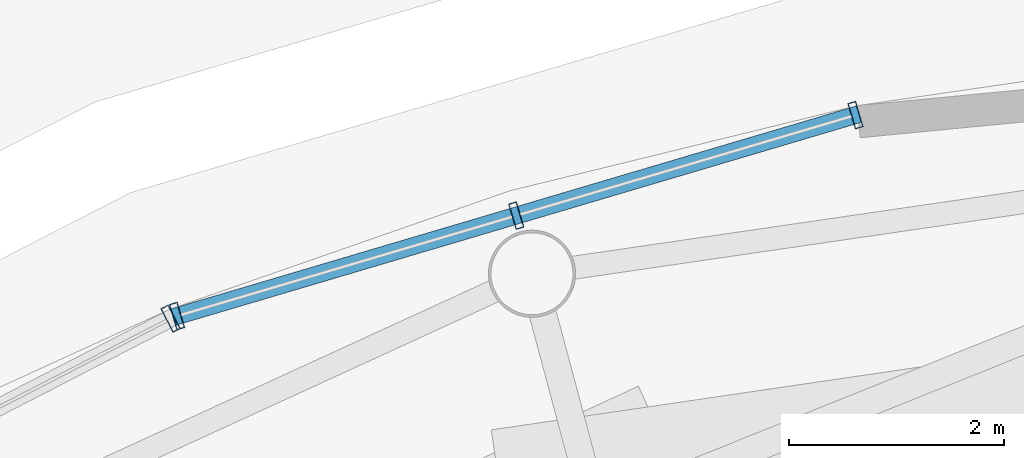
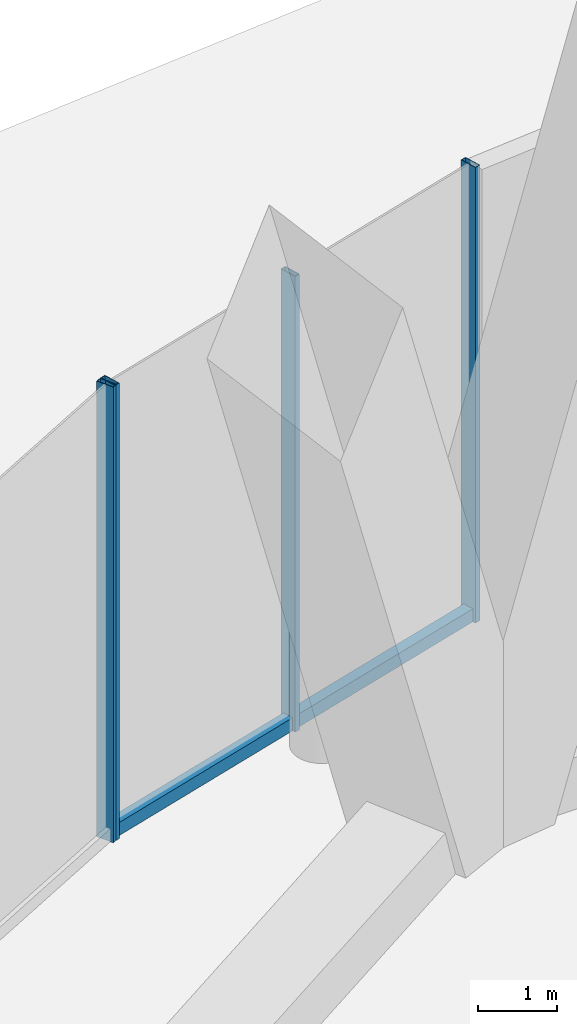
# One storey, part 47 of 67: 5 members, 2 elements without a shape of their own.
"""IFC4 building model written with IfcOpenShell, lengths in metres."""

from ifc_helpers import new_model, si_unit, direction, frame, origin, origin_2d, place, context, subcontext, project, spatial, hollow_rectangle, extrude, material, layer, layer_set, material_profile, profile_set, type_object, element, aggregate, save


model = new_model("IFC4")

# Units and contexts
model_context = context("Model", 3, precision=1e-05, world=origin(), true_north=direction((0.0, 1.0)))
body_context = subcontext(model_context, "Body", "Model", "MODEL_VIEW")
ifc_project = project(units=[si_unit("LENGTHUNIT", "METRE"), si_unit("AREAUNIT", "SQUARE_METRE"), si_unit("VOLUMEUNIT", "CUBIC_METRE"), si_unit("PLANEANGLEUNIT", "RADIAN"), si_unit("MASSUNIT", "GRAM", prefix="KILO")], contexts=[model_context])

# Site, building, storey
site_placement = place(None, origin())
site = spatial("IfcSite", under=ifc_project, at=site_placement, CompositionType="ELEMENT")
building_placement = place(site_placement, origin())
building = spatial("IfcBuilding", under=site, at=building_placement, Name="Nagisa Residences", CompositionType="ELEMENT")
storey_placement = place(building_placement, origin())
storey = spatial("IfcBuildingStorey", under=building, at=storey_placement, Name="L00", CompositionType="ELEMENT", Elevation=0.0)

# Curtain wall, members
ifc_material_1 = material(Name="Stainless steel curtain wall system", Category="steel")
ifc_layer = layer(ifc_material_1, 0.159912109375)
ifc_layer_set = layer_set([ifc_layer], Name="CW3 CURTAIN WALL")
curtain_wall_type = type_object("IfcCurtainWallType", Name="CW3 CURTAIN WALL", PredefinedType="NOTDEFINED", material=ifc_layer_set)
curtain_wall_1_placement = place(storey_placement, origin())
curtain_wall_1 = element("IfcCurtainWall", 1, at=curtain_wall_1_placement, inside=storey, type_object=curtain_wall_type, Name="cw:CW3:L00:10", PredefinedType="NOTDEFINED")
ifc_material_2 = material(Name="Stainless steel", Category="steel")
ifc_material_profile_1 = material_profile(ifc_material_2, hollow_rectangle(XDim=0.25, YDim=0.080078125, WallThickness=0.008056640625, at=origin_2d()), Name="CW3 MULLION 250x80")
ifc_profile_set_1 = profile_set([ifc_material_profile_1], Name="Stainless steel")
member_type_1 = type_object("IfcMemberType", Name="CW3 MULLION 250x80", PredefinedType="MULLION", material=ifc_profile_set_1)
member_1_placement = place(storey_placement, frame((-3.01416015625, 41.27392578125, 0.0), z_axis=(0.0, 0.0, 1.0), x_axis=(0.283963226669, -0.958835171393, 0.0)))
member_1 = element("IfcMember", 2, at=member_1_placement, type_object=member_type_1, Name="CW3 mullion", PredefinedType="MULLION", context=body_context, shape_type="SweptSolid", body=[
    extrude(hollow_rectangle(XDim=0.25, YDim=0.080078125, WallThickness=0.008056640625, at=origin_2d()), origin(), (0.0, 0.0, 1.0), 7.0),
])
member_2_placement = place(storey_placement, frame((-6.175048828125, 40.337890625, 0.0), z_axis=(0.0, 0.0, 1.0), x_axis=(0.283963226669, -0.958835171393, 0.0)))
member_2 = element("IfcMember", 3, at=member_2_placement, type_object=member_type_1, Name="CW3 mullion", PredefinedType="MULLION", context=body_context, shape_type="SweptSolid", body=[
    extrude(hollow_rectangle(XDim=0.25, YDim=0.080078125, WallThickness=0.008056640625, at=origin_2d()), origin(), (0.0, 0.0, 1.0), 7.0),
])
member_3_placement = place(storey_placement, frame((-9.335693359375, 39.40185546875, 0.0), z_axis=(0.0, 0.0, 1.0), x_axis=(0.283963226669, -0.958835171393, 0.0)))
member_3 = element("IfcMember", 4, at=member_3_placement, type_object=member_type_1, Name="CW3 mullion", PredefinedType="MULLION", context=body_context, shape_type="SweptSolid", body=[
    extrude(hollow_rectangle(XDim=0.25, YDim=0.080078125, WallThickness=0.008056640625, at=origin_2d()), origin(), (0.0, 0.0, 1.0), 7.0),
])

# Curtain wall, member
curtain_wall_2_placement = place(storey_placement, origin())
curtain_wall_2 = element("IfcCurtainWall", 5, at=curtain_wall_2_placement, inside=storey, type_object=curtain_wall_type, Name="cw:CW3:L00:11", PredefinedType="NOTDEFINED")
member_4_placement = place(storey_placement, frame((-9.395751953125, 39.377685546875, 0.0), z_axis=(0.0, 0.0, 1.0), x_axis=(0.45812598783, -0.888887270285, 0.0)))
member_4 = element("IfcMember", 6, at=member_4_placement, type_object=member_type_1, Name="CW3 mullion", PredefinedType="MULLION", context=body_context, shape_type="SweptSolid", body=[
    extrude(hollow_rectangle(XDim=0.25, YDim=0.080078125, WallThickness=0.008056640625, at=origin_2d()), origin(), (0.0, 0.0, 1.0), 7.0),
])
aggregate(curtain_wall_2, [member_4])

# Member
ifc_material_3 = material(Name="Stainless steel", Category="steel")
ifc_material_profile_2 = material_profile(ifc_material_3, hollow_rectangle(XDim=0.159912109375, YDim=0.199951171875, WallThickness=0.008056640625, at=origin_2d()), Name="CW3 TRANSOM 160x200")
ifc_profile_set_2 = profile_set([ifc_material_profile_2], Name="Stainless steel")
member_type_2 = type_object("IfcMemberType", Name="CW3 TRANSOM 160x200", PredefinedType="USERDEFINED", material=ifc_profile_set_2)
member_5_placement = place(storey_placement, frame((-2.975830078125, 41.28515625, 0.10009765625), z_axis=(-0.958838335071, -0.283952543919, 0.0), x_axis=(0.283952543919, -0.958838335071, 0.0)))
member_5 = element("IfcMember", 7, at=member_5_placement, type_object=member_type_2, Name="CW3 transom", ObjectType="TRANSOM", PredefinedType="USERDEFINED", context=body_context, shape_type="SweptSolid", body=[
    extrude(hollow_rectangle(XDim=0.159912109375, YDim=0.199951171875, WallThickness=0.008056640625, at=origin_2d()), origin(), (0.0, 0.0, 1.0), 6.6728515625),
])

aggregate(curtain_wall_1, [member_1, member_2, member_3, member_5])

save(model, "model.ifc")
